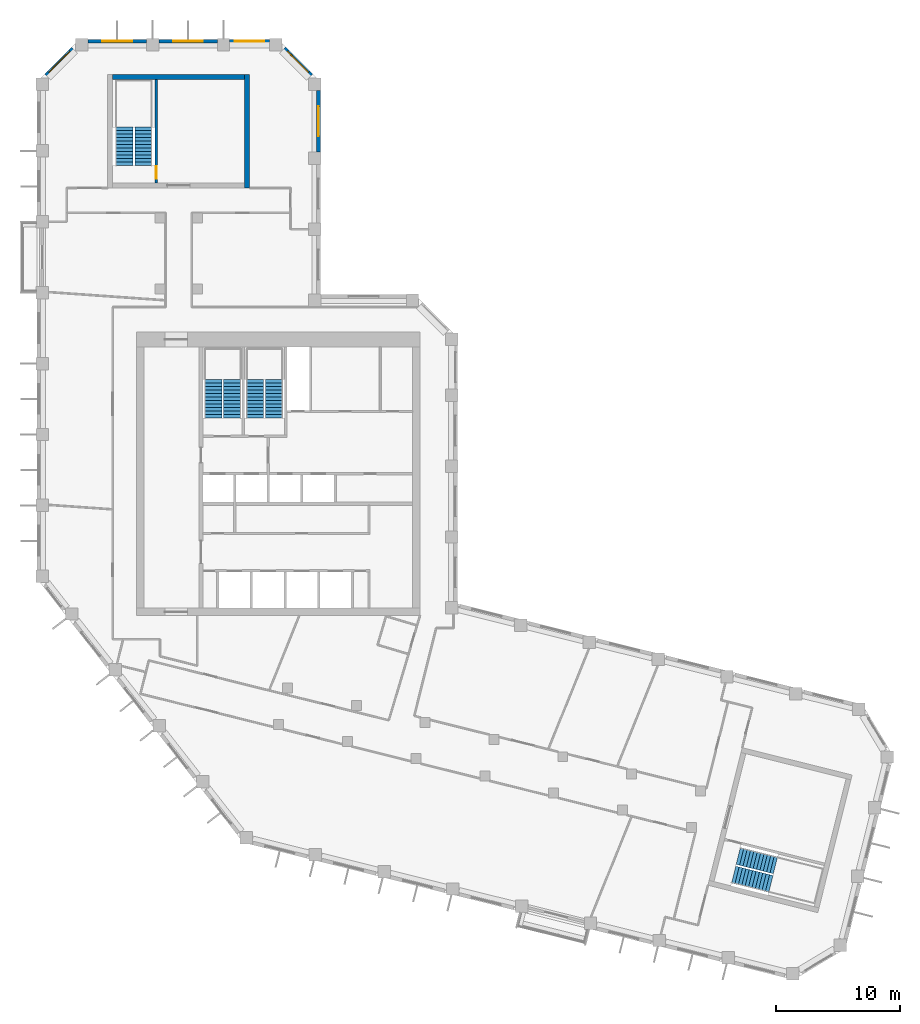
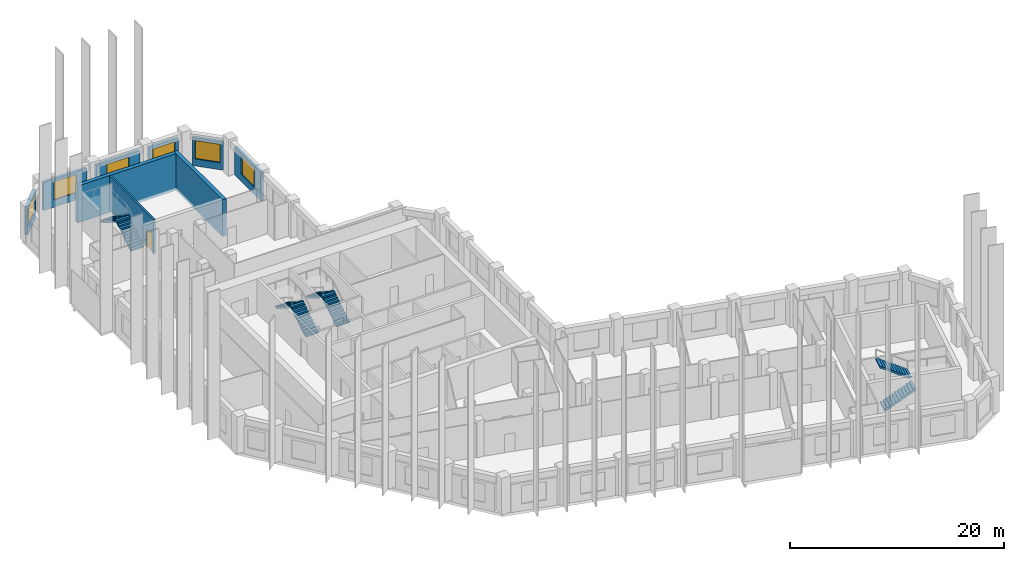
# One storey, part 8 of 9: 9 walls, 8 stair flights, 6 windows, 1 door, 7 openings, 4 elements without a shape of their own.
"""IFC4 building model written with IfcOpenShell, lengths in metres."""

from ifc_helpers import new_model, si_unit, direction, frame, frame_2d, origin, place, context, subcontext, project, spatial, polyline, rectangle, outline, extrude, material, layer, layer_set, type_object, element, fill, aggregate, save


model = new_model("IFC4")

# Units and contexts
model_context = context("Model", 3, precision=1e-05, world=origin(), true_north=direction((0.0, 1.0)))
body_context = subcontext(model_context, "Body", "Model", "MODEL_VIEW")
ifc_project = project(units=[si_unit("LENGTHUNIT", "METRE"), si_unit("AREAUNIT", "SQUARE_METRE"), si_unit("VOLUMEUNIT", "CUBIC_METRE"), si_unit("PLANEANGLEUNIT", "RADIAN"), si_unit("MASSUNIT", "GRAM", prefix="KILO")], contexts=[model_context])

# Site, building, storey
site_placement = place(None, origin())
site = spatial("IfcSite", under=ifc_project, at=site_placement, CompositionType="ELEMENT")
building_placement = place(site_placement, origin())
building = spatial("IfcBuilding", under=site, at=building_placement, Name="Meshkara Civic Tower", CompositionType="ELEMENT")
storey_placement = place(building_placement, frame((0.0, 0.0, 306.60009765625)))
storey = spatial("IfcBuildingStorey", under=building, at=storey_placement, Name="L70", CompositionType="ELEMENT", Elevation=306.60009765625)

# Wall, opening, window
ifc_material_1 = material(Name="Insulated infill panel with bronze anodised aluminium cladding", Category="aluminium")
ifc_layer_1 = layer(ifc_material_1, 0.300048828125)
ifc_layer_set_1 = layer_set([ifc_layer_1], Name="EXTERNAL INFILL WALL 300")
wall_type_1 = type_object("IfcWallType", Name="EXTERNAL INFILL WALL 300", PredefinedType="SOLIDWALL", material=ifc_layer_set_1)
wall_1_placement = place(storey_placement, frame((22.64990234375, 51.35009765625, 0.0), z_axis=(0.0, 0.0, 1.0), x_axis=(0.0, 1.0, 0.0)))
wall_1 = element("IfcWall", 1, at=wall_1_placement, inside=storey, type_object=wall_type_1, Name="External wall", PredefinedType="SOLIDWALL", context=body_context, shape_type="SweptSolid", body=[
    extrude(rectangle(XDim=4.9638671875, YDim=0.300048828125, at=frame_2d((2.48193359375, 0.0))), origin(), (0.0, 0.0, 1.0), 3.199951171875),
])
opening_1_placement = place(wall_1_placement, frame((1.281982421875, 0.0, 0.800048828125)))
opening_1 = element("IfcOpeningElement", 2, at=opening_1_placement, cuts=wall_1, Name="Opening W7", PredefinedType="OPENING", context=body_context, shape_type="SweptSolid", body=[
    extrude(rectangle(XDim=2.39990234375, YDim=2.10009765625, at=frame_2d((1.199951171875, 1.050048828125))), frame((0.0, 0.159912109375, 0.0), z_axis=(0.0, -1.0, 0.0), x_axis=(1.0, 0.0, 0.0)), (0.0, 0.0, 1.0), 0.320068359375),
])
ifc_material_2 = material(Name="Tinted double glazing", Category="glass")
window_type = type_object("IfcWindowType", Name="WINDOW 2400x2100", PartitioningType="DOUBLE_PANEL_VERTICAL", PredefinedType="WINDOW", material=ifc_material_2)
window_1_placement = place(opening_1_placement, origin())
window_1 = element("IfcWindow", 3, at=window_1_placement, inside=storey, type_object=window_type, Name="Window", OverallHeight=2.10009765625, OverallWidth=2.39990234375, PartitioningType="DOUBLE_PANEL_VERTICAL", PredefinedType="WINDOW", context=body_context, shape_type="SweptSolid", body=[
    extrude(rectangle(XDim=2.39990234375, YDim=2.10009765625, at=frame_2d((1.199951171875, 1.050048828125))), frame((0.0, 0.030029296875, 0.0), z_axis=(0.0, -1.0, 0.0), x_axis=(1.0, 0.0, 0.0)), (0.0, 0.0, 1.0), 0.06005859375),
])
fill(opening_1, window_1)

wall_2_placement = place(storey_placement, frame((22.06201171875, 57.52587890625, 0.0), z_axis=(0.0, 0.0, 1.0), x_axis=(-0.707106781187, 0.707106781187, 0.0)))
wall_2 = element("IfcWall", 4, at=wall_2_placement, inside=storey, type_object=wall_type_1, Name="External wall", PredefinedType="SOLIDWALL", context=body_context, shape_type="SweptSolid", body=[
    extrude(rectangle(XDim=3.049072265625, YDim=0.300048828125, at=frame_2d((1.5244140625, 0.0))), origin(), (0.0, 0.0, 1.0), 3.199951171875),
])
opening_2_placement = place(wall_2_placement, frame((0.324951171875, 0.0, 0.800048828125)))
opening_2 = element("IfcOpeningElement", 5, at=opening_2_placement, cuts=wall_2, Name="Opening W7", PredefinedType="OPENING", context=body_context, shape_type="SweptSolid", body=[
    extrude(rectangle(XDim=2.39990234375, YDim=2.10009765625, at=frame_2d((1.199951171875, 1.050048828125))), frame((0.0, 0.159912109375, 0.0), z_axis=(0.0, -1.0, 0.0), x_axis=(1.0, 0.0, 0.0)), (0.0, 0.0, 1.0), 0.320068359375),
])
window_2_placement = place(opening_2_placement, origin())
window_2 = element("IfcWindow", 6, at=window_2_placement, inside=storey, type_object=window_type, Name="Window", OverallHeight=2.10009765625, OverallWidth=2.39990234375, PartitioningType="DOUBLE_PANEL_VERTICAL", PredefinedType="WINDOW", context=body_context, shape_type="SweptSolid", body=[
    extrude(rectangle(XDim=2.39990234375, YDim=2.10009765625, at=frame_2d((1.199951171875, 1.050048828125))), frame((0.0, 0.030029296875, 0.0), z_axis=(0.0, -1.0, 0.0), x_axis=(1.0, 0.0, 0.0)), (0.0, 0.0, 1.0), 0.06005859375),
])
fill(opening_2, window_2)

wall_3_placement = place(storey_placement, frame((18.694091796875, 60.27001953125, 0.0), z_axis=(0.0, 0.0, 1.0), x_axis=(-1.0, 0.0, 0.0)))
wall_3 = element("IfcWall", 7, at=wall_3_placement, inside=storey, type_object=wall_type_1, Name="External wall", PredefinedType="SOLIDWALL", context=body_context, shape_type="SweptSolid", body=[
    extrude(rectangle(XDim=3.18798828125, YDim=0.300048828125, at=frame_2d((1.593994140625, 0.0))), origin(), (0.0, 0.0, 1.0), 3.199951171875),
])
opening_3_placement = place(wall_3_placement, frame((0.39404296875, 0.0, 0.800048828125)))
opening_3 = element("IfcOpeningElement", 8, at=opening_3_placement, cuts=wall_3, Name="Opening W7", PredefinedType="OPENING", context=body_context, shape_type="SweptSolid", body=[
    extrude(rectangle(XDim=2.39990234375, YDim=2.10009765625, at=frame_2d((1.199951171875, 1.050048828125))), frame((0.0, 0.159912109375, 0.0), z_axis=(0.0, -1.0, 0.0), x_axis=(1.0, 0.0, 0.0)), (0.0, 0.0, 1.0), 0.320068359375),
])
window_3_placement = place(opening_3_placement, origin())
window_3 = element("IfcWindow", 9, at=window_3_placement, inside=storey, type_object=window_type, Name="Window", OverallHeight=2.10009765625, OverallWidth=2.39990234375, PartitioningType="DOUBLE_PANEL_VERTICAL", PredefinedType="WINDOW", context=body_context, shape_type="SweptSolid", body=[
    extrude(rectangle(XDim=2.39990234375, YDim=2.10009765625, at=frame_2d((1.199951171875, 1.050048828125))), frame((0.0, 0.030029296875, 0.0), z_axis=(0.0, -1.0, 0.0), x_axis=(1.0, 0.0, 0.0)), (0.0, 0.0, 1.0), 0.06005859375),
])
fill(opening_3, window_3)

wall_4_placement = place(storey_placement, frame((14.506103515625, 60.27001953125, 0.0), z_axis=(0.0, 0.0, 1.0), x_axis=(-1.0, 0.0, 0.0)))
wall_4 = element("IfcWall", 10, at=wall_4_placement, inside=storey, type_object=wall_type_1, Name="External wall", PredefinedType="SOLIDWALL", context=body_context, shape_type="SweptSolid", body=[
    extrude(rectangle(XDim=4.7001953125, YDim=0.300048828125, at=frame_2d((2.35009765625, 0.0))), origin(), (0.0, 0.0, 1.0), 3.199951171875),
])
opening_4_placement = place(wall_4_placement, frame((1.14990234375, 0.0, 0.800048828125)))
opening_4 = element("IfcOpeningElement", 11, at=opening_4_placement, cuts=wall_4, Name="Opening W7", PredefinedType="OPENING", context=body_context, shape_type="SweptSolid", body=[
    extrude(rectangle(XDim=2.39990234375, YDim=2.10009765625, at=frame_2d((1.199951171875, 1.050048828125))), frame((0.0, 0.159912109375, 0.0), z_axis=(0.0, -1.0, 0.0), x_axis=(1.0, 0.0, 0.0)), (0.0, 0.0, 1.0), 0.320068359375),
])
window_4_placement = place(opening_4_placement, origin())
window_4 = element("IfcWindow", 12, at=window_4_placement, inside=storey, type_object=window_type, Name="Window", OverallHeight=2.10009765625, OverallWidth=2.39990234375, PartitioningType="DOUBLE_PANEL_VERTICAL", PredefinedType="WINDOW", context=body_context, shape_type="SweptSolid", body=[
    extrude(rectangle(XDim=2.39990234375, YDim=2.10009765625, at=frame_2d((1.199951171875, 1.050048828125))), frame((0.0, 0.030029296875, 0.0), z_axis=(0.0, -1.0, 0.0), x_axis=(1.0, 0.0, 0.0)), (0.0, 0.0, 1.0), 0.06005859375),
])
fill(opening_4, window_4)

wall_5_placement = place(storey_placement, frame((8.805908203125, 60.27001953125, 0.0), z_axis=(0.0, 0.0, 1.0), x_axis=(-1.0, 0.0, 0.0)))
wall_5 = element("IfcWall", 13, at=wall_5_placement, inside=storey, type_object=wall_type_1, Name="External wall", PredefinedType="SOLIDWALL", context=body_context, shape_type="SweptSolid", body=[
    extrude(rectangle(XDim=4.699951171875, YDim=0.300048828125, at=frame_2d((2.35009765625, 0.0))), origin(), (0.0, 0.0, 1.0), 3.199951171875),
])
opening_5_placement = place(wall_5_placement, frame((1.14990234375, 0.0, 0.800048828125)))
opening_5 = element("IfcOpeningElement", 14, at=opening_5_placement, cuts=wall_5, Name="Opening W7", PredefinedType="OPENING", context=body_context, shape_type="SweptSolid", body=[
    extrude(rectangle(XDim=2.39990234375, YDim=2.10009765625, at=frame_2d((1.199951171875, 1.050048828125))), frame((0.0, 0.159912109375, 0.0), z_axis=(0.0, -1.0, 0.0), x_axis=(1.0, 0.0, 0.0)), (0.0, 0.0, 1.0), 0.320068359375),
])
window_5_placement = place(opening_5_placement, origin())
window_5 = element("IfcWindow", 15, at=window_5_placement, inside=storey, type_object=window_type, Name="Window", OverallHeight=2.10009765625, OverallWidth=2.39990234375, PartitioningType="DOUBLE_PANEL_VERTICAL", PredefinedType="WINDOW", context=body_context, shape_type="SweptSolid", body=[
    extrude(rectangle(XDim=2.39990234375, YDim=2.10009765625, at=frame_2d((1.199951171875, 1.050048828125))), frame((0.0, 0.030029296875, 0.0), z_axis=(0.0, -1.0, 0.0), x_axis=(1.0, 0.0, 0.0)), (0.0, 0.0, 1.0), 0.06005859375),
])
fill(opening_5, window_5)

wall_6_placement = place(storey_placement, frame((2.89404296875, 59.681884765625, 0.0), z_axis=(0.0, 0.0, 1.0), x_axis=(-0.707106781187, -0.707106781187, 0.0)))
wall_6 = element("IfcWall", 16, at=wall_6_placement, inside=storey, type_object=wall_type_1, Name="External wall", PredefinedType="SOLIDWALL", context=body_context, shape_type="SweptSolid", body=[
    extrude(rectangle(XDim=3.049072265625, YDim=0.300048828125, at=frame_2d((1.5244140625, 0.0))), origin(), (0.0, 0.0, 1.0), 3.199951171875),
])
opening_6_placement = place(wall_6_placement, frame((0.324951171875, 0.0, 0.800048828125)))
opening_6 = element("IfcOpeningElement", 17, at=opening_6_placement, cuts=wall_6, Name="Opening W7", PredefinedType="OPENING", context=body_context, shape_type="SweptSolid", body=[
    extrude(rectangle(XDim=2.39990234375, YDim=2.10009765625, at=frame_2d((1.199951171875, 1.050048828125))), frame((0.0, 0.159912109375, 0.0), z_axis=(0.0, -1.0, 0.0), x_axis=(1.0, 0.0, 0.0)), (0.0, 0.0, 1.0), 0.320068359375),
])
window_6_placement = place(opening_6_placement, origin())
window_6 = element("IfcWindow", 18, at=window_6_placement, inside=storey, type_object=window_type, Name="Window", OverallHeight=2.10009765625, OverallWidth=2.39990234375, PartitioningType="DOUBLE_PANEL_VERTICAL", PredefinedType="WINDOW", context=body_context, shape_type="SweptSolid", body=[
    extrude(rectangle(XDim=2.39990234375, YDim=2.10009765625, at=frame_2d((1.199951171875, 1.050048828125))), frame((0.0, 0.030029296875, 0.0), z_axis=(0.0, -1.0, 0.0), x_axis=(1.0, 0.0, 0.0)), (0.0, 0.0, 1.0), 0.06005859375),
])
fill(opening_6, window_6)

# Walls
ifc_material_3 = material(Name="Concrete C60", Category="concrete")
ifc_layer_2 = layer(ifc_material_3, 0.39990234375)
ifc_layer_set_2 = layer_set([ifc_layer_2], Name="End core ring wall 400 C60")
wall_type_2 = type_object("IfcWallType", Name="End core ring wall 400 C60", PredefinedType="SHEAR", material=ifc_layer_set_2)
wall_7_placement = place(storey_placement, frame((16.89990234375, 48.469970703125, -0.300048828125), z_axis=(0.0, 0.0, 1.0), x_axis=(0.0, 1.0, 0.0)))
element("IfcWall", 19, at=wall_7_placement, inside=storey, type_object=wall_type_2, Name="L70-C028", PredefinedType="SHEAR", context=body_context, shape_type="SweptSolid", body=[
    extrude(rectangle(XDim=9.10009765625, YDim=0.39990234375, at=frame_2d((4.550048828125, 0.0))), origin(), (0.0, 0.0, 1.0), 4.199951171875),
])
wall_8_placement = place(storey_placement, frame((6.10009765625, 57.3701171875, -0.300048828125), z_axis=(0.0, 0.0, 1.0), x_axis=(1.0, 0.0, 0.0)))
element("IfcWall", 20, at=wall_8_placement, inside=storey, type_object=wall_type_2, Name="L70-C030", PredefinedType="SHEAR", context=body_context, shape_type="SweptSolid", body=[
    extrude(rectangle(XDim=10.599853515625, YDim=0.39990234375, at=frame_2d((5.2998046875, 0.0))), origin(), (0.0, 0.0, 1.0), 4.199951171875),
])

# Wall, opening, door
ifc_material_4 = material(Name="Concrete C40/50", Category="concrete")
ifc_layer_3 = layer(ifc_material_4, 0.199951171875)
ifc_layer_set_3 = layer_set([ifc_layer_3], Name="Stair enclosure wall 200 C40/50")
wall_type_3 = type_object("IfcWallType", Name="Stair enclosure wall 200 C40/50", PredefinedType="SOLIDWALL", material=ifc_layer_set_3)
wall_9_placement = place(storey_placement, frame((9.60009765625, 48.8701171875, 0.0), z_axis=(0.0, 0.0, 1.0), x_axis=(0.0, 1.0, 0.0)))
wall_9 = element("IfcWall", 21, at=wall_9_placement, inside=storey, type_object=wall_type_3, Name="L70-C031", PredefinedType="SOLIDWALL", context=body_context, shape_type="SweptSolid", body=[
    extrude(rectangle(XDim=8.2998046875, YDim=0.199951171875, at=frame_2d((4.14990234375, 0.0))), origin(), (0.0, 0.0, 1.0), 3.89990234375),
])
opening_7_placement = place(wall_9_placement, frame((0.35009765625, 0.0, 0.0)))
opening_7 = element("IfcOpeningElement", 22, at=opening_7_placement, cuts=wall_9, Name="Opening L70-K101", PredefinedType="OPENING", context=body_context, shape_type="SweptSolid", body=[
    extrude(rectangle(XDim=1.0, YDim=2.10009765625, at=frame_2d((0.5, 1.050048828125))), frame((0.0, 0.10986328125, 0.0), z_axis=(0.0, -1.0, 0.0), x_axis=(1.0, 0.0, 0.0)), (0.0, 0.0, 1.0), 0.219970703125),
])
ifc_material_5 = material(Name="Fire-rated door leaf in steel frame", Category="steel")
door_type = type_object("IfcDoorType", Name="Stair door 1000 EI 120", OperationType="SINGLE_SWING_LEFT", PredefinedType="DOOR", material=ifc_material_5)
door_placement = place(opening_7_placement, origin())
door = element("IfcDoor", 23, at=door_placement, inside=storey, type_object=door_type, Name="L70-K101", OperationType="SINGLE_SWING_RIGHT", OverallHeight=2.10009765625, OverallWidth=1.0, PredefinedType="DOOR", context=body_context, shape_type="SweptSolid", body=[
    extrude(rectangle(XDim=1.0, YDim=2.10009765625, at=frame_2d((0.5, 1.050048828125))), frame((0.0, 0.02490234375, 0.0), z_axis=(0.0, -1.0, 0.0), x_axis=(1.0, 0.0, 0.0)), (0.0, 0.0, 1.0), 0.050048828125),
])
fill(opening_7, door)

# Stair, stair flights
ifc_material_6 = material(Name="Precast concrete C40/50", Category="concrete")
stair_type = type_object("IfcStairType", Name="Exit stair half-turn 24 risers precast", PredefinedType="HALF_TURN_STAIR", material=ifc_material_6)
stair_1_placement = place(storey_placement, origin())
stair_1 = element("IfcStair", 24, at=stair_1_placement, inside=storey, type_object=stair_type, Name="L70 exit stair 1", PredefinedType="HALF_TURN_STAIR")
ifc_material_7 = material(Name="Precast concrete C40/50", Category="concrete")
stair_flight_type = type_object("IfcStairFlightType", Name="Exit stair flight 12 risers precast", PredefinedType="STRAIGHT", material=ifc_material_7)
stair_flight_1_placement = place(storey_placement, frame((15.72509765625, 30.0, 0.0), z_axis=(0.0, 0.0, 1.0), x_axis=(0.0, 1.0, 0.0)))
stair_flight_1 = element("IfcStairFlight", 25, at=stair_flight_1_placement, type_object=stair_flight_type, Name="ST1 flight 1", NumberOfRisers=12, NumberOfTreads=11, PredefinedType="STRAIGHT", RiserHeight=0.175, TreadLength=0.28, context=body_context, shape_type="SweptSolid", body=[
    extrude(outline(polyline([(0.0, 0.0), (0.0, 0.175048828125), (0.280029296875, 0.175048828125), (0.280029296875, 0.35009765625), (0.56005859375, 0.35009765625), (0.56005859375, 0.52490234375), (0.840087890625, 0.52490234375), (0.840087890625, 0.699951171875), (1.1201171875, 0.699951171875), (1.1201171875, 0.875), (1.39990234375, 0.875), (1.39990234375, 1.050048828125), (1.679931640625, 1.050048828125), (1.679931640625, 1.22509765625), (1.9599609375, 1.22509765625), (1.9599609375, 1.39990234375), (2.239990234375, 1.39990234375), (2.239990234375, 1.574951171875), (2.52001953125, 1.574951171875), (2.52001953125, 1.75), (2.800048828125, 1.75), (2.800048828125, 1.925048828125), (3.080078125, 1.925048828125), (3.080078125, 2.10009765625), (3.080078125, 1.748291015625), (0.28271484375, 0.0), (0.0, 0.0)])), frame((0.0, 0.699951171875, 0.0), z_axis=(0.0, -1.0, 0.0), x_axis=(1.0, 0.0, 0.0)), (0.0, 0.0, 1.0), 1.39990234375),
])
stair_flight_2_placement = place(storey_placement, frame((14.175048828125, 33.080078125, 2.099853515625), z_axis=(0.0, 0.0, 1.0), x_axis=(0.0, -1.0, 0.0)))
stair_flight_2 = element("IfcStairFlight", 26, at=stair_flight_2_placement, type_object=stair_flight_type, Name="ST1 flight 2", NumberOfRisers=12, NumberOfTreads=11, PredefinedType="STRAIGHT", RiserHeight=0.175, TreadLength=0.28, context=body_context, shape_type="SweptSolid", body=[
    extrude(outline(polyline([(0.0, 0.0), (0.0, 0.175048828125), (0.280029296875, 0.175048828125), (0.280029296875, 0.35009765625), (0.56005859375, 0.35009765625), (0.56005859375, 0.52490234375), (0.840087890625, 0.52490234375), (0.840087890625, 0.699951171875), (1.1201171875, 0.699951171875), (1.1201171875, 0.875), (1.39990234375, 0.875), (1.39990234375, 1.050048828125), (1.679931640625, 1.050048828125), (1.679931640625, 1.22509765625), (1.9599609375, 1.22509765625), (1.9599609375, 1.39990234375), (2.239990234375, 1.39990234375), (2.239990234375, 1.574951171875), (2.52001953125, 1.574951171875), (2.52001953125, 1.75), (2.800048828125, 1.75), (2.800048828125, 1.925048828125), (3.080078125, 1.925048828125), (3.080078125, 2.10009765625), (3.080078125, 1.748291015625), (0.28271484375, 0.0), (0.0, 0.0)])), frame((0.0, 0.699951171875, 0.0), z_axis=(0.0, -1.0, 0.0), x_axis=(1.0, 0.0, 0.0)), (0.0, 0.0, 1.0), 1.39990234375),
])
aggregate(stair_1, [stair_flight_1, stair_flight_2])

stair_2_placement = place(storey_placement, origin())
stair_2 = element("IfcStair", 27, at=stair_2_placement, inside=storey, type_object=stair_type, Name="L70 exit stair 2", PredefinedType="HALF_TURN_STAIR")
stair_flight_3_placement = place(storey_placement, frame((19.074951171875, 30.0, 0.0), z_axis=(0.0, 0.0, 1.0), x_axis=(0.0, 1.0, 0.0)))
stair_flight_3 = element("IfcStairFlight", 28, at=stair_flight_3_placement, type_object=stair_flight_type, Name="ST2 flight 1", NumberOfRisers=12, NumberOfTreads=11, PredefinedType="STRAIGHT", RiserHeight=0.175, TreadLength=0.28, context=body_context, shape_type="SweptSolid", body=[
    extrude(outline(polyline([(0.0, 0.0), (0.0, 0.175048828125), (0.280029296875, 0.175048828125), (0.280029296875, 0.35009765625), (0.56005859375, 0.35009765625), (0.56005859375, 0.52490234375), (0.840087890625, 0.52490234375), (0.840087890625, 0.699951171875), (1.1201171875, 0.699951171875), (1.1201171875, 0.875), (1.39990234375, 0.875), (1.39990234375, 1.050048828125), (1.679931640625, 1.050048828125), (1.679931640625, 1.22509765625), (1.9599609375, 1.22509765625), (1.9599609375, 1.39990234375), (2.239990234375, 1.39990234375), (2.239990234375, 1.574951171875), (2.52001953125, 1.574951171875), (2.52001953125, 1.75), (2.800048828125, 1.75), (2.800048828125, 1.925048828125), (3.080078125, 1.925048828125), (3.080078125, 2.10009765625), (3.080078125, 1.748291015625), (0.28271484375, 0.0), (0.0, 0.0)])), frame((0.0, 0.699951171875, 0.0), z_axis=(0.0, -1.0, 0.0), x_axis=(1.0, 0.0, 0.0)), (0.0, 0.0, 1.0), 1.39990234375),
])
stair_flight_4_placement = place(storey_placement, frame((17.52490234375, 33.080078125, 2.099853515625), z_axis=(0.0, 0.0, 1.0), x_axis=(0.0, -1.0, 0.0)))
stair_flight_4 = element("IfcStairFlight", 29, at=stair_flight_4_placement, type_object=stair_flight_type, Name="ST2 flight 2", NumberOfRisers=12, NumberOfTreads=11, PredefinedType="STRAIGHT", RiserHeight=0.175, TreadLength=0.28, context=body_context, shape_type="SweptSolid", body=[
    extrude(outline(polyline([(0.0, 0.0), (0.0, 0.175048828125), (0.280029296875, 0.175048828125), (0.280029296875, 0.35009765625), (0.56005859375, 0.35009765625), (0.56005859375, 0.52490234375), (0.840087890625, 0.52490234375), (0.840087890625, 0.699951171875), (1.1201171875, 0.699951171875), (1.1201171875, 0.875), (1.39990234375, 0.875), (1.39990234375, 1.050048828125), (1.679931640625, 1.050048828125), (1.679931640625, 1.22509765625), (1.9599609375, 1.22509765625), (1.9599609375, 1.39990234375), (2.239990234375, 1.39990234375), (2.239990234375, 1.574951171875), (2.52001953125, 1.574951171875), (2.52001953125, 1.75), (2.800048828125, 1.75), (2.800048828125, 1.925048828125), (3.080078125, 1.925048828125), (3.080078125, 2.10009765625), (3.080078125, 1.748291015625), (0.28271484375, 0.0), (0.0, 0.0)])), frame((0.0, 0.699951171875, 0.0), z_axis=(0.0, -1.0, 0.0), x_axis=(1.0, 0.0, 0.0)), (0.0, 0.0, 1.0), 1.39990234375),
])
aggregate(stair_2, [stair_flight_3, stair_flight_4])

stair_3_placement = place(storey_placement, origin())
stair_3 = element("IfcStair", 30, at=stair_3_placement, inside=storey, type_object=stair_type, Name="L70 exit stair A from L65", PredefinedType="HALF_TURN_STAIR")
stair_flight_5_placement = place(storey_placement, frame((8.574951171875, 50.27001953125, 0.0), z_axis=(0.0, 0.0, 1.0), x_axis=(0.0, 1.0, 0.0)))
stair_flight_5 = element("IfcStairFlight", 31, at=stair_flight_5_placement, type_object=stair_flight_type, Name="ESA5 flight 1", NumberOfRisers=12, NumberOfTreads=11, PredefinedType="STRAIGHT", RiserHeight=0.175, TreadLength=0.28, context=body_context, shape_type="SweptSolid", body=[
    extrude(outline(polyline([(0.0, 0.0), (0.0, 0.175048828125), (0.280029296875, 0.175048828125), (0.280029296875, 0.35009765625), (0.56005859375, 0.35009765625), (0.56005859375, 0.52490234375), (0.840087890625, 0.52490234375), (0.840087890625, 0.699951171875), (1.1201171875, 0.699951171875), (1.1201171875, 0.875), (1.39990234375, 0.875), (1.39990234375, 1.050048828125), (1.679931640625, 1.050048828125), (1.679931640625, 1.22509765625), (1.9599609375, 1.22509765625), (1.9599609375, 1.39990234375), (2.239990234375, 1.39990234375), (2.239990234375, 1.574951171875), (2.52001953125, 1.574951171875), (2.52001953125, 1.75), (2.800048828125, 1.75), (2.800048828125, 1.925048828125), (3.080078125, 1.925048828125), (3.080078125, 2.10009765625), (3.080078125, 1.748291015625), (0.28271484375, 0.0), (0.0, 0.0)])), frame((0.0, 0.699951171875, 0.0), z_axis=(0.0, -1.0, 0.0), x_axis=(1.0, 0.0, 0.0)), (0.0, 0.0, 1.0), 1.39990234375),
])
stair_flight_6_placement = place(storey_placement, frame((7.02490234375, 53.35009765625, 2.099853515625), z_axis=(0.0, 0.0, 1.0), x_axis=(0.0, -1.0, 0.0)))
stair_flight_6 = element("IfcStairFlight", 32, at=stair_flight_6_placement, type_object=stair_flight_type, Name="ESA5 flight 2", NumberOfRisers=12, NumberOfTreads=11, PredefinedType="STRAIGHT", RiserHeight=0.175, TreadLength=0.28, context=body_context, shape_type="SweptSolid", body=[
    extrude(outline(polyline([(0.0, 0.0), (0.0, 0.175048828125), (0.280029296875, 0.175048828125), (0.280029296875, 0.35009765625), (0.56005859375, 0.35009765625), (0.56005859375, 0.52490234375), (0.840087890625, 0.52490234375), (0.840087890625, 0.699951171875), (1.1201171875, 0.699951171875), (1.1201171875, 0.875), (1.39990234375, 0.875), (1.39990234375, 1.050048828125), (1.679931640625, 1.050048828125), (1.679931640625, 1.22509765625), (1.9599609375, 1.22509765625), (1.9599609375, 1.39990234375), (2.239990234375, 1.39990234375), (2.239990234375, 1.574951171875), (2.52001953125, 1.574951171875), (2.52001953125, 1.75), (2.800048828125, 1.75), (2.800048828125, 1.925048828125), (3.080078125, 1.925048828125), (3.080078125, 2.10009765625), (3.080078125, 1.748291015625), (0.28271484375, 0.0), (0.0, 0.0)])), frame((0.0, 0.699951171875, 0.0), z_axis=(0.0, -1.0, 0.0), x_axis=(1.0, 0.0, 0.0)), (0.0, 0.0, 1.0), 1.39990234375),
])
aggregate(stair_3, [stair_flight_5, stair_flight_6])

stair_4_placement = place(storey_placement, origin())
stair_4 = element("IfcStair", 33, at=stair_4_placement, inside=storey, type_object=stair_type, Name="L70 exit stair B from L65", PredefinedType="HALF_TURN_STAIR")
stair_flight_7_placement = place(storey_placement, frame((56.0068359375, -6.723876953125, 0.0), z_axis=(0.0, 0.0, 1.0), x_axis=(0.970260066579, -0.242064873955, 0.0)))
stair_flight_7 = element("IfcStairFlight", 34, at=stair_flight_7_placement, type_object=stair_flight_type, Name="ESB5 flight 1", NumberOfRisers=12, NumberOfTreads=11, PredefinedType="STRAIGHT", RiserHeight=0.175, TreadLength=0.28, context=body_context, shape_type="SweptSolid", body=[
    extrude(outline(polyline([(0.0, 0.0), (0.0, 0.175048828125), (0.280029296875, 0.175048828125), (0.280029296875, 0.35009765625), (0.56005859375, 0.35009765625), (0.56005859375, 0.52490234375), (0.840087890625, 0.52490234375), (0.840087890625, 0.699951171875), (1.1201171875, 0.699951171875), (1.1201171875, 0.875), (1.39990234375, 0.875), (1.39990234375, 1.050048828125), (1.679931640625, 1.050048828125), (1.679931640625, 1.22509765625), (1.9599609375, 1.22509765625), (1.9599609375, 1.39990234375), (2.239990234375, 1.39990234375), (2.239990234375, 1.574951171875), (2.52001953125, 1.574951171875), (2.52001953125, 1.75), (2.800048828125, 1.75), (2.800048828125, 1.925048828125), (3.080078125, 1.925048828125), (3.080078125, 2.10009765625), (3.080078125, 1.748291015625), (0.28271484375, 0.0), (0.0, 0.0)])), frame((0.0, 0.699951171875, 0.0), z_axis=(0.0, -1.0, 0.0), x_axis=(1.0, 0.0, 0.0)), (0.0, 0.0, 1.0), 1.39990234375),
])
stair_flight_8_placement = place(storey_placement, frame((59.370361328125, -5.965576171875, 2.099853515625), z_axis=(0.0, 0.0, 1.0), x_axis=(-0.970260066579, 0.242064873955, 0.0)))
stair_flight_8 = element("IfcStairFlight", 35, at=stair_flight_8_placement, type_object=stair_flight_type, Name="ESB5 flight 2", NumberOfRisers=12, NumberOfTreads=11, PredefinedType="STRAIGHT", RiserHeight=0.175, TreadLength=0.28, context=body_context, shape_type="SweptSolid", body=[
    extrude(outline(polyline([(0.0, 0.0), (0.0, 0.175048828125), (0.280029296875, 0.175048828125), (0.280029296875, 0.35009765625), (0.56005859375, 0.35009765625), (0.56005859375, 0.52490234375), (0.840087890625, 0.52490234375), (0.840087890625, 0.699951171875), (1.1201171875, 0.699951171875), (1.1201171875, 0.875), (1.39990234375, 0.875), (1.39990234375, 1.050048828125), (1.679931640625, 1.050048828125), (1.679931640625, 1.22509765625), (1.9599609375, 1.22509765625), (1.9599609375, 1.39990234375), (2.239990234375, 1.39990234375), (2.239990234375, 1.574951171875), (2.52001953125, 1.574951171875), (2.52001953125, 1.75), (2.800048828125, 1.75), (2.800048828125, 1.925048828125), (3.080078125, 1.925048828125), (3.080078125, 2.10009765625), (3.080078125, 1.748291015625), (0.28271484375, 0.0), (0.0, 0.0)])), frame((0.0, 0.699951171875, 0.0), z_axis=(0.0, -1.0, 0.0), x_axis=(1.0, 0.0, 0.0)), (0.0, 0.0, 1.0), 1.39990234375),
])
aggregate(stair_4, [stair_flight_7, stair_flight_8])

save(model, "model.ifc")
